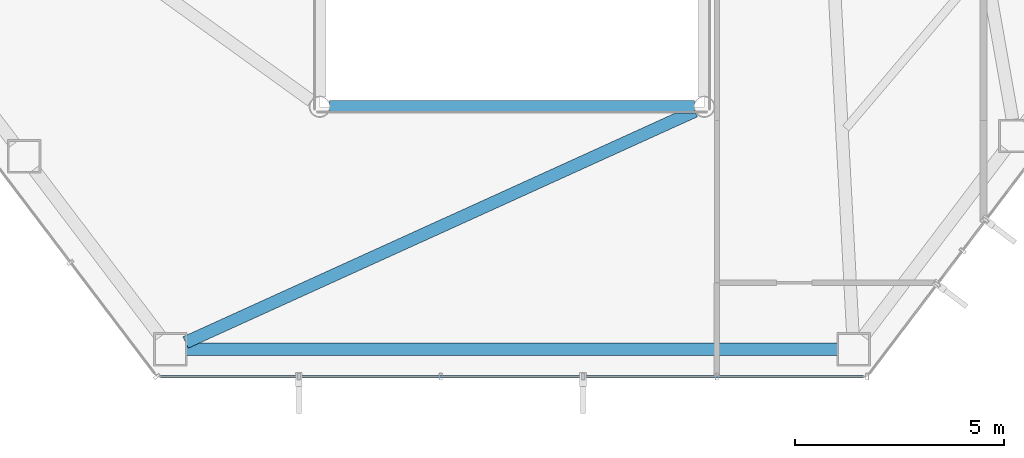
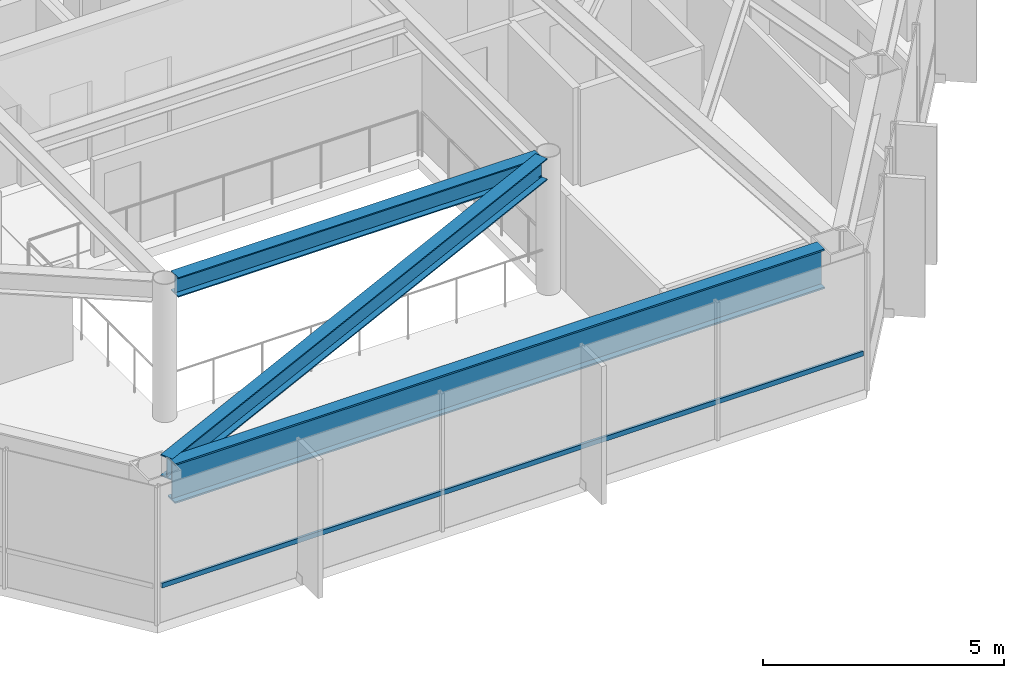
# One storey, part 7 of 29: 3 beams, 1 member, 1 element without a shape of its own.
"""IFC4 building model written with IfcOpenShell, lengths in metres."""

from ifc_helpers import new_model, si_unit, direction, frame, origin, origin_2d, place, context, subcontext, project, spatial, hollow_rectangle, i_section, extrude, material, layer, layer_set, material_profile, profile_set, type_object, element, aggregate, save


model = new_model("IFC4")

# Units and contexts
model_context = context("Model", 3, precision=1e-05, world=origin(), true_north=direction((0.0, 1.0)))
body_context = subcontext(model_context, "Body", "Model", "MODEL_VIEW")
ifc_project = project(units=[si_unit("LENGTHUNIT", "METRE"), si_unit("AREAUNIT", "SQUARE_METRE"), si_unit("VOLUMEUNIT", "CUBIC_METRE"), si_unit("PLANEANGLEUNIT", "RADIAN"), si_unit("MASSUNIT", "GRAM", prefix="KILO")], contexts=[model_context])

# Site, building, storey
site_placement = place(None, origin())
site = spatial("IfcSite", under=ifc_project, at=site_placement, CompositionType="ELEMENT")
building_placement = place(site_placement, origin())
building = spatial("IfcBuilding", under=site, at=building_placement, Name="Zarrinselat Tower", CompositionType="ELEMENT")
storey_placement = place(building_placement, frame((0.0, 0.0, 134.639892578125)))
storey = spatial("IfcBuildingStorey", under=building, at=storey_placement, Name="L32", CompositionType="ELEMENT", Elevation=134.639892578125)

# Beams
ifc_material_1 = material(Name="Steel S355J2", Category="steel")
ifc_material_profile_1 = material_profile(ifc_material_1, i_section(OverallWidth=0.300048828125, OverallDepth=0.5, WebThickness=0.014404296875, FlangeThickness=0.028076171875, at=origin_2d()), Name="HEB 500")
ifc_profile_set_1 = profile_set([ifc_material_profile_1], Name="Steel S355J2")
beam_type_1 = type_object("IfcBeamType", Name="BM-HEB500", PredefinedType="BEAM", material=ifc_profile_set_1)
beam_1_placement = place(storey_placement, frame((34.0400390625, 24.39990234375, 3.25), z_axis=(1.0, 0.0, 0.0), x_axis=(0.0, 1.0, 0.0)))
element("IfcBeam", 1, at=beam_1_placement, inside=storey, type_object=beam_type_1, Name="L32 Atrium Edge Beam S", PredefinedType="BEAM", context=body_context, shape_type="SweptSolid", body=[
    extrude(i_section(OverallWidth=0.300048828125, OverallDepth=0.5, WebThickness=0.014404296875, FlangeThickness=0.028076171875, at=origin_2d()), origin(), (0.0, 0.0, 1.0), 8.719970703125),
])
ifc_material_2 = material(Name="Steel S355J2", Category="steel")
ifc_material_profile_2 = material_profile(ifc_material_2, i_section(OverallWidth=0.300048828125, OverallDepth=0.550048828125, WebThickness=0.014892578125, FlangeThickness=0.029052734375, at=origin_2d()), Name="HEB 550")
ifc_profile_set_2 = profile_set([ifc_material_profile_2], Name="Steel S355J2")
beam_type_2 = type_object("IfcBeamType", Name="BM-HEB550", PredefinedType="BEAM", material=ifc_profile_set_2)
beam_2_placement = place(storey_placement, frame((30.592041015625, 18.76220703125, 3.22509765625), z_axis=(0.91042646234, 0.413670952172, 0.0), x_axis=(-0.413670952172, 0.91042646234, 0.0)))
element("IfcBeam", 2, at=beam_2_placement, inside=storey, type_object=beam_type_2, Name="L32 Radial Primary Girder RG10", PredefinedType="BEAM", context=body_context, shape_type="SweptSolid", body=[
    extrude(i_section(OverallWidth=0.300048828125, OverallDepth=0.550048828125, WebThickness=0.014892578125, FlangeThickness=0.029052734375, at=origin_2d()), origin(), (0.0, 0.0, 1.0), 13.37890625),
])
ifc_material_3 = material(Name="Steel S460M", Category="steel")
ifc_material_profile_3 = material_profile(ifc_material_3, i_section(OverallWidth=0.302001953125, OverallDepth=1.008056640625, WebThickness=0.02099609375, FlangeThickness=0.0400390625, at=origin_2d()), Name="HEM 1000")
ifc_profile_set_3 = profile_set([ifc_material_profile_3], Name="Steel S460M")
beam_type_3 = type_object("IfcBeamType", Name="BM-HEM1000", PredefinedType="BEAM", material=ifc_profile_set_3)
beam_3_placement = place(storey_placement, frame((30.614013671875, 18.595703125, 2.99609375), z_axis=(1.0, 0.0, 0.0), x_axis=(0.0, 1.0, 0.0)))
element("IfcBeam", 3, at=beam_3_placement, inside=storey, type_object=beam_type_3, Name="L32 Perimeter Spandrel Girder SP10", PredefinedType="BEAM", context=body_context, shape_type="SweptSolid", body=[
    extrude(i_section(OverallWidth=0.302001953125, OverallDepth=1.008056640625, WebThickness=0.02099609375, FlangeThickness=0.0400390625, at=origin_2d()), origin(), (0.0, 0.0, 1.0), 15.57177734375),
])

# Curtain wall, member
ifc_material_4 = material(Name="Extruded Aluminium Alloy EN AW-6063 T6", Category="aluminium")
ifc_layer = layer(ifc_material_4, 0.175048828125)
ifc_layer_set = layer_set([ifc_layer], Name="Extruded Aluminium Alloy EN AW-6063 T6")
curtain_wall_type = type_object("IfcCurtainWallType", Name="CWS-HTL", PredefinedType="NOTDEFINED", material=ifc_layer_set)
curtain_wall_placement = place(storey_placement, origin())
curtain_wall = element("IfcCurtainWall", 4, at=curtain_wall_placement, inside=storey, type_object=curtain_wall_type, Name="L32 Unitised Curtain Wall CW-L32-E04", PredefinedType="NOTDEFINED")
ifc_material_5 = material(Name="Extruded Aluminium Alloy EN AW-6063 T6", Category="aluminium")
ifc_material_profile_4 = material_profile(ifc_material_5, hollow_rectangle(XDim=0.06005859375, YDim=0.1201171875, WallThickness=0.00390625, at=origin_2d()), Name="RHS 120x60x4")
ifc_profile_set_4 = profile_set([ifc_material_profile_4], Name="Extruded Aluminium Alloy EN AW-6063 T6")
member_type = type_object("IfcMemberType", Name="MEM-CW-TRN2", PredefinedType="USERDEFINED", material=ifc_profile_set_4)
member_placement = place(storey_placement, frame((29.9931640625, 17.94580078125, 0.9501953125), z_axis=(1.0, 0.0, 0.0), x_axis=(0.0, 1.0, 0.0)))
member = element("IfcMember", 5, at=member_placement, type_object=member_type, Name="CW-L32-E04 Transom 1", ObjectType="TRANSOM", PredefinedType="USERDEFINED", context=body_context, shape_type="SweptSolid", body=[
    extrude(hollow_rectangle(XDim=0.06005859375, YDim=0.1201171875, WallThickness=0.00390625, at=origin_2d()), origin(), (0.0, 0.0, 1.0), 16.813720703125),
])
aggregate(curtain_wall, [member])

save(model, "model.ifc")
